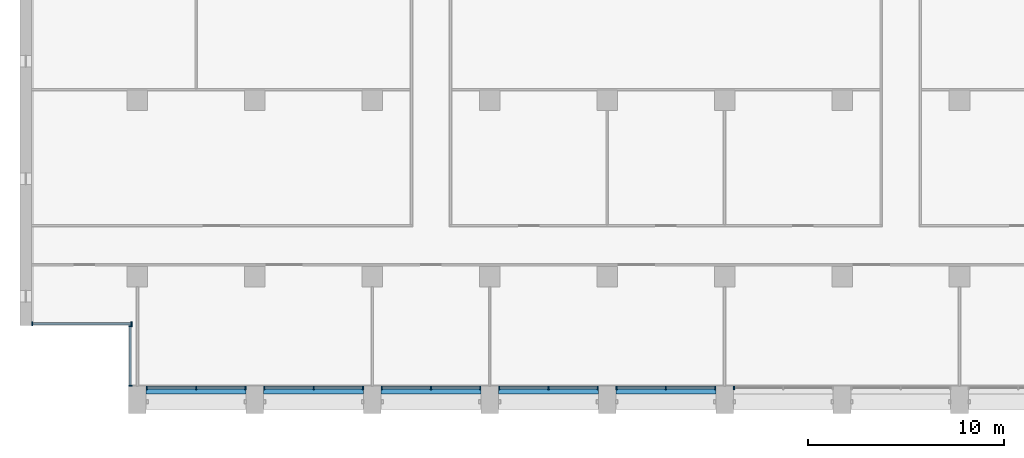
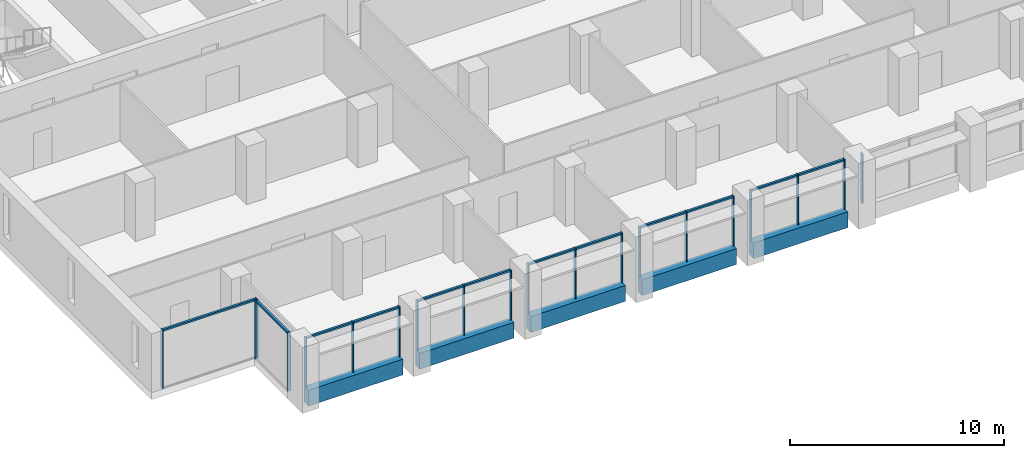
# One storey, part 2 of 17: 32 members, 5 beams, 8 elements without a shape of their own.
"""IFC4 building model written with IfcOpenShell, lengths in metres."""

from ifc_helpers import new_model, si_unit, direction, frame, origin, origin_2d, place, context, subcontext, project, spatial, rectangle, extrude, material, material_profile, profile_set, type_object, element, aggregate, save


model = new_model("IFC4")

# Units and contexts
model_context = context("Model", 3, precision=1e-05, world=origin(), true_north=direction((0.0, 1.0)))
body_context = subcontext(model_context, "Body", "Model", "MODEL_VIEW")
ifc_project = project(units=[si_unit("LENGTHUNIT", "METRE"), si_unit("AREAUNIT", "SQUARE_METRE"), si_unit("VOLUMEUNIT", "CUBIC_METRE"), si_unit("PLANEANGLEUNIT", "RADIAN"), si_unit("MASSUNIT", "GRAM", prefix="KILO")], contexts=[model_context])

# Site, building, storey
site_placement = place(None, origin())
site = spatial("IfcSite", under=ifc_project, at=site_placement, CompositionType="ELEMENT")
building_placement = place(site_placement, origin())
building = spatial("IfcBuilding", under=site, at=building_placement, Name="Calvaro Tower", CompositionType="ELEMENT")
storey_placement = place(building_placement, frame((0.0, 0.0, 200.5)))
storey = spatial("IfcBuildingStorey", under=building, at=storey_placement, Name="L50", CompositionType="ELEMENT", Elevation=200.5)

# Curtain wall, members
ifc_material_1 = material(Name="Anodised aluminium", Category="aluminium")
curtain_wall_type = type_object("IfcCurtainWallType", Name="Office curtain wall, upper zone", PredefinedType="NOTDEFINED", material=ifc_material_1)
curtain_wall_1_placement = place(storey_placement, origin())
curtain_wall_1 = element("IfcCurtainWall", 1, at=curtain_wall_1_placement, inside=storey, type_object=curtain_wall_type, Name="CW3 south curtain wall", PredefinedType="NOTDEFINED")
ifc_material_2 = material(Name="Anodised aluminium", Category="aluminium")
ifc_material_profile_1 = material_profile(ifc_material_2, rectangle(XDim=0.179931640625, YDim=0.06005859375, at=origin_2d()), Name="Mullion S3 60 x 180")
ifc_profile_set_1 = profile_set([ifc_material_profile_1], Name="Anodised aluminium")
member_type_1 = type_object("IfcMemberType", Name="Mullion S3 60 x 180", PredefinedType="MULLION", material=ifc_profile_set_1)
member_1_placement = place(storey_placement, frame((12.47998046875, 4.31005859375, 0.0), z_axis=(0.0, 0.0, 1.0), x_axis=(0.0, 1.0, 0.0)))
member_1 = element("IfcMember", 2, at=member_1_placement, type_object=member_type_1, Name="CW3 mullion 1", PredefinedType="MULLION", context=body_context, shape_type="SweptSolid", body=[
    extrude(rectangle(XDim=0.179931640625, YDim=0.06005859375, at=origin_2d()), origin(), (0.0, 0.0, 1.0), 2.85009765625),
])
member_2_placement = place(storey_placement, frame((15.0, 4.31005859375, 0.0), z_axis=(0.0, 0.0, 1.0), x_axis=(0.0, 1.0, 0.0)))
member_2 = element("IfcMember", 3, at=member_2_placement, type_object=member_type_1, Name="CW3 mullion 2", PredefinedType="MULLION", context=body_context, shape_type="SweptSolid", body=[
    extrude(rectangle(XDim=0.179931640625, YDim=0.06005859375, at=origin_2d()), origin(), (0.0, 0.0, 1.0), 2.85009765625),
])
member_3_placement = place(storey_placement, frame((17.52001953125, 4.31005859375, 0.0), z_axis=(0.0, 0.0, 1.0), x_axis=(0.0, 1.0, 0.0)))
member_3 = element("IfcMember", 4, at=member_3_placement, type_object=member_type_1, Name="CW3 mullion 3", PredefinedType="MULLION", context=body_context, shape_type="SweptSolid", body=[
    extrude(rectangle(XDim=0.179931640625, YDim=0.06005859375, at=origin_2d()), origin(), (0.0, 0.0, 1.0), 2.85009765625),
])

curtain_wall_2_placement = place(storey_placement, origin())
curtain_wall_2 = element("IfcCurtainWall", 5, at=curtain_wall_2_placement, inside=storey, type_object=curtain_wall_type, Name="CW3 south curtain wall", PredefinedType="NOTDEFINED")
member_4_placement = place(storey_placement, frame((18.47998046875, 4.31005859375, 0.0), z_axis=(0.0, 0.0, 1.0), x_axis=(0.0, 1.0, 0.0)))
member_4 = element("IfcMember", 6, at=member_4_placement, type_object=member_type_1, Name="CW3 mullion 1", PredefinedType="MULLION", context=body_context, shape_type="SweptSolid", body=[
    extrude(rectangle(XDim=0.179931640625, YDim=0.06005859375, at=origin_2d()), origin(), (0.0, 0.0, 1.0), 2.85009765625),
])
member_5_placement = place(storey_placement, frame((21.0, 4.31005859375, 0.0), z_axis=(0.0, 0.0, 1.0), x_axis=(0.0, 1.0, 0.0)))
member_5 = element("IfcMember", 7, at=member_5_placement, type_object=member_type_1, Name="CW3 mullion 2", PredefinedType="MULLION", context=body_context, shape_type="SweptSolid", body=[
    extrude(rectangle(XDim=0.179931640625, YDim=0.06005859375, at=origin_2d()), origin(), (0.0, 0.0, 1.0), 2.85009765625),
])
member_6_placement = place(storey_placement, frame((23.52001953125, 4.31005859375, 0.0), z_axis=(0.0, 0.0, 1.0), x_axis=(0.0, 1.0, 0.0)))
member_6 = element("IfcMember", 8, at=member_6_placement, type_object=member_type_1, Name="CW3 mullion 3", PredefinedType="MULLION", context=body_context, shape_type="SweptSolid", body=[
    extrude(rectangle(XDim=0.179931640625, YDim=0.06005859375, at=origin_2d()), origin(), (0.0, 0.0, 1.0), 2.85009765625),
])

curtain_wall_3_placement = place(storey_placement, origin())
curtain_wall_3 = element("IfcCurtainWall", 9, at=curtain_wall_3_placement, inside=storey, type_object=curtain_wall_type, Name="CW3 south curtain wall", PredefinedType="NOTDEFINED")
member_7_placement = place(storey_placement, frame((24.47998046875, 4.31005859375, 0.0), z_axis=(0.0, 0.0, 1.0), x_axis=(0.0, 1.0, 0.0)))
member_7 = element("IfcMember", 10, at=member_7_placement, type_object=member_type_1, Name="CW3 mullion 1", PredefinedType="MULLION", context=body_context, shape_type="SweptSolid", body=[
    extrude(rectangle(XDim=0.179931640625, YDim=0.06005859375, at=origin_2d()), origin(), (0.0, 0.0, 1.0), 2.85009765625),
])
member_8_placement = place(storey_placement, frame((27.0, 4.31005859375, 0.0), z_axis=(0.0, 0.0, 1.0), x_axis=(0.0, 1.0, 0.0)))
member_8 = element("IfcMember", 11, at=member_8_placement, type_object=member_type_1, Name="CW3 mullion 2", PredefinedType="MULLION", context=body_context, shape_type="SweptSolid", body=[
    extrude(rectangle(XDim=0.179931640625, YDim=0.06005859375, at=origin_2d()), origin(), (0.0, 0.0, 1.0), 2.85009765625),
])
member_9_placement = place(storey_placement, frame((29.52001953125, 4.31005859375, 0.0), z_axis=(0.0, 0.0, 1.0), x_axis=(0.0, 1.0, 0.0)))
member_9 = element("IfcMember", 12, at=member_9_placement, type_object=member_type_1, Name="CW3 mullion 3", PredefinedType="MULLION", context=body_context, shape_type="SweptSolid", body=[
    extrude(rectangle(XDim=0.179931640625, YDim=0.06005859375, at=origin_2d()), origin(), (0.0, 0.0, 1.0), 2.85009765625),
])

curtain_wall_4_placement = place(storey_placement, origin())
curtain_wall_4 = element("IfcCurtainWall", 13, at=curtain_wall_4_placement, inside=storey, type_object=curtain_wall_type, Name="CW3 south curtain wall", PredefinedType="NOTDEFINED")
member_10_placement = place(storey_placement, frame((30.47998046875, 4.31005859375, 0.0), z_axis=(0.0, 0.0, 1.0), x_axis=(0.0, 1.0, 0.0)))
member_10 = element("IfcMember", 14, at=member_10_placement, type_object=member_type_1, Name="CW3 mullion 1", PredefinedType="MULLION", context=body_context, shape_type="SweptSolid", body=[
    extrude(rectangle(XDim=0.179931640625, YDim=0.06005859375, at=origin_2d()), origin(), (0.0, 0.0, 1.0), 2.85009765625),
])
member_11_placement = place(storey_placement, frame((33.0, 4.31005859375, 0.0), z_axis=(0.0, 0.0, 1.0), x_axis=(0.0, 1.0, 0.0)))
member_11 = element("IfcMember", 15, at=member_11_placement, type_object=member_type_1, Name="CW3 mullion 2", PredefinedType="MULLION", context=body_context, shape_type="SweptSolid", body=[
    extrude(rectangle(XDim=0.179931640625, YDim=0.06005859375, at=origin_2d()), origin(), (0.0, 0.0, 1.0), 2.85009765625),
])
member_12_placement = place(storey_placement, frame((35.52001953125, 4.31005859375, 0.0), z_axis=(0.0, 0.0, 1.0), x_axis=(0.0, 1.0, 0.0)))
member_12 = element("IfcMember", 16, at=member_12_placement, type_object=member_type_1, Name="CW3 mullion 3", PredefinedType="MULLION", context=body_context, shape_type="SweptSolid", body=[
    extrude(rectangle(XDim=0.179931640625, YDim=0.06005859375, at=origin_2d()), origin(), (0.0, 0.0, 1.0), 2.85009765625),
])

curtain_wall_5_placement = place(storey_placement, origin())
curtain_wall_5 = element("IfcCurtainWall", 17, at=curtain_wall_5_placement, inside=storey, type_object=curtain_wall_type, Name="CW3 south curtain wall", PredefinedType="NOTDEFINED")
member_13_placement = place(storey_placement, frame((36.47998046875, 4.31005859375, 0.0), z_axis=(0.0, 0.0, 1.0), x_axis=(0.0, 1.0, 0.0)))
member_13 = element("IfcMember", 18, at=member_13_placement, type_object=member_type_1, Name="CW3 mullion 1", PredefinedType="MULLION", context=body_context, shape_type="SweptSolid", body=[
    extrude(rectangle(XDim=0.179931640625, YDim=0.06005859375, at=origin_2d()), origin(), (0.0, 0.0, 1.0), 2.85009765625),
])
member_14_placement = place(storey_placement, frame((39.0, 4.31005859375, 0.0), z_axis=(0.0, 0.0, 1.0), x_axis=(0.0, 1.0, 0.0)))
member_14 = element("IfcMember", 19, at=member_14_placement, type_object=member_type_1, Name="CW3 mullion 2", PredefinedType="MULLION", context=body_context, shape_type="SweptSolid", body=[
    extrude(rectangle(XDim=0.179931640625, YDim=0.06005859375, at=origin_2d()), origin(), (0.0, 0.0, 1.0), 2.85009765625),
])
member_15_placement = place(storey_placement, frame((41.52001953125, 4.31005859375, 0.0), z_axis=(0.0, 0.0, 1.0), x_axis=(0.0, 1.0, 0.0)))
member_15 = element("IfcMember", 20, at=member_15_placement, type_object=member_type_1, Name="CW3 mullion 3", PredefinedType="MULLION", context=body_context, shape_type="SweptSolid", body=[
    extrude(rectangle(XDim=0.179931640625, YDim=0.06005859375, at=origin_2d()), origin(), (0.0, 0.0, 1.0), 2.85009765625),
])

# Curtain wall, member
curtain_wall_6_placement = place(storey_placement, origin())
curtain_wall_6 = element("IfcCurtainWall", 21, at=curtain_wall_6_placement, inside=storey, type_object=curtain_wall_type, Name="CW3 south curtain wall", PredefinedType="NOTDEFINED")
member_16_placement = place(storey_placement, frame((42.47998046875, 4.31005859375, 0.0), z_axis=(0.0, 0.0, 1.0), x_axis=(0.0, 1.0, 0.0)))
member_16 = element("IfcMember", 22, at=member_16_placement, type_object=member_type_1, Name="CW3 mullion 1", PredefinedType="MULLION", context=body_context, shape_type="SweptSolid", body=[
    extrude(rectangle(XDim=0.179931640625, YDim=0.06005859375, at=origin_2d()), origin(), (0.0, 0.0, 1.0), 2.85009765625),
])
aggregate(curtain_wall_6, [member_16])

# Curtain wall, members
curtain_wall_7_placement = place(storey_placement, origin())
curtain_wall_7 = element("IfcCurtainWall", 23, at=curtain_wall_7_placement, inside=storey, type_object=curtain_wall_type, Name="CW3 corner curtain wall", PredefinedType="NOTDEFINED")
member_17_placement = place(storey_placement, frame((11.639892578125, 4.429931640625, 0.0), z_axis=(0.0, 0.0, 1.0), x_axis=(-1.0, 0.0, 0.0)))
member_17 = element("IfcMember", 24, at=member_17_placement, type_object=member_type_1, Name="CW3 mullion 1", PredefinedType="MULLION", context=body_context, shape_type="SweptSolid", body=[
    extrude(rectangle(XDim=0.179931640625, YDim=0.06005859375, at=origin_2d()), origin(), (0.0, 0.0, 1.0), 3.35009765625),
])
member_18_placement = place(storey_placement, frame((11.639892578125, 7.469970703125, 0.0), z_axis=(0.0, 0.0, 1.0), x_axis=(-1.0, 0.0, 0.0)))
member_18 = element("IfcMember", 25, at=member_18_placement, type_object=member_type_1, Name="CW3 mullion 2", PredefinedType="MULLION", context=body_context, shape_type="SweptSolid", body=[
    extrude(rectangle(XDim=0.179931640625, YDim=0.06005859375, at=origin_2d()), origin(), (0.0, 0.0, 1.0), 3.35009765625),
])

curtain_wall_8_placement = place(storey_placement, origin())
curtain_wall_8 = element("IfcCurtainWall", 26, at=curtain_wall_8_placement, inside=storey, type_object=curtain_wall_type, Name="CW3 corner curtain wall", PredefinedType="NOTDEFINED")
member_19_placement = place(storey_placement, frame((6.6298828125, 7.590087890625, 0.0), z_axis=(0.0, 0.0, 1.0), x_axis=(0.0, 1.0, 0.0)))
member_19 = element("IfcMember", 27, at=member_19_placement, type_object=member_type_1, Name="CW3 mullion 1", PredefinedType="MULLION", context=body_context, shape_type="SweptSolid", body=[
    extrude(rectangle(XDim=0.179931640625, YDim=0.06005859375, at=origin_2d()), origin(), (0.0, 0.0, 1.0), 3.35009765625),
])
member_20_placement = place(storey_placement, frame((11.699951171875, 7.590087890625, 0.0), z_axis=(0.0, 0.0, 1.0), x_axis=(0.0, 1.0, 0.0)))
member_20 = element("IfcMember", 28, at=member_20_placement, type_object=member_type_1, Name="CW3 mullion 2", PredefinedType="MULLION", context=body_context, shape_type="SweptSolid", body=[
    extrude(rectangle(XDim=0.179931640625, YDim=0.06005859375, at=origin_2d()), origin(), (0.0, 0.0, 1.0), 3.35009765625),
])

# Beams
ifc_material_3 = material(Name="Concrete C50/60 precast", Category="concrete")
ifc_material_profile_2 = material_profile(ifc_material_3, rectangle(XDim=0.39990234375, YDim=0.89990234375, at=origin_2d()), Name="RC 400x900")
ifc_profile_set_2 = profile_set([ifc_material_profile_2], Name="Concrete C50/60 precast")
beam_type = type_object("IfcBeamType", Name="Spandrel beam 400x900 C50/60", PredefinedType="SPANDREL", material=ifc_profile_set_2)
for number, where, z_axis, x_axis, name in (
    (29, (12.449951171875, 4.199951171875, -0.449951171875), (1.0, 0.0, 0.0), (0.0, 1.0, 0.0), "Spandrel beam"),
    (30, (18.449951171875, 4.199951171875, -0.449951171875), (1.0, 0.0, 0.0), (0.0, 1.0, 0.0), "Spandrel beam"),
    (31, (24.449951171875, 4.199951171875, -0.449951171875), (1.0, 0.0, 0.0), (0.0, 1.0, 0.0), "Spandrel beam"),
    (32, (30.449951171875, 4.199951171875, -0.449951171875), (1.0, 0.0, 0.0), (0.0, 1.0, 0.0), "Spandrel beam"),
    (33, (36.449951171875, 4.199951171875, -0.449951171875), (1.0, 0.0, 0.0), (0.0, 1.0, 0.0), "Spandrel beam"),
):
    element("IfcBeam", number, at=place(storey_placement, frame(where, z_axis=z_axis, x_axis=x_axis)), inside=storey, type_object=beam_type, Name=name, PredefinedType="SPANDREL", context=body_context, shape_type="SweptSolid", body=[
        extrude(rectangle(XDim=0.39990234375, YDim=0.89990234375, at=origin_2d()), origin(), (0.0, 0.0, 1.0), 5.10009765625),
    ])

# Member
ifc_material_4 = material(Name="Anodised aluminium", Category="aluminium")
ifc_material_profile_3 = material_profile(ifc_material_4, rectangle(XDim=0.1201171875, YDim=0.10009765625, at=origin_2d()), Name="Transom S3 100 x 120")
ifc_profile_set_3 = profile_set([ifc_material_profile_3], Name="Anodised aluminium")
member_type_2 = type_object("IfcMemberType", Name="Transom S3 100 x 120", PredefinedType="USERDEFINED", material=ifc_profile_set_3)
member_21_placement = place(storey_placement, frame((12.510009765625, 4.31005859375, 2.800048828125), z_axis=(1.0, 0.0, 0.0), x_axis=(0.0, 1.0, 0.0)))
member_21 = element("IfcMember", 34, at=member_21_placement, type_object=member_type_2, Name="CW3 transom 1.1", ObjectType="TRANSOM", PredefinedType="USERDEFINED", context=body_context, shape_type="SweptSolid", body=[
    extrude(rectangle(XDim=0.1201171875, YDim=0.10009765625, at=origin_2d()), origin(), (0.0, 0.0, 1.0), 2.4599609375),
])

member_22_placement = place(storey_placement, frame((15.030029296875, 4.31005859375, 2.800048828125), z_axis=(1.0, 0.0, 0.0), x_axis=(0.0, 1.0, 0.0)))
member_22 = element("IfcMember", 35, at=member_22_placement, type_object=member_type_2, Name="CW3 transom 2.1", ObjectType="TRANSOM", PredefinedType="USERDEFINED", context=body_context, shape_type="SweptSolid", body=[
    extrude(rectangle(XDim=0.1201171875, YDim=0.10009765625, at=origin_2d()), origin(), (0.0, 0.0, 1.0), 2.4599609375),
])

aggregate(curtain_wall_1, [member_1, member_2, member_3, member_21, member_22])

member_23_placement = place(storey_placement, frame((18.510009765625, 4.31005859375, 2.800048828125), z_axis=(1.0, 0.0, 0.0), x_axis=(0.0, 1.0, 0.0)))
member_23 = element("IfcMember", 36, at=member_23_placement, type_object=member_type_2, Name="CW3 transom 1.1", ObjectType="TRANSOM", PredefinedType="USERDEFINED", context=body_context, shape_type="SweptSolid", body=[
    extrude(rectangle(XDim=0.1201171875, YDim=0.10009765625, at=origin_2d()), origin(), (0.0, 0.0, 1.0), 2.4599609375),
])

member_24_placement = place(storey_placement, frame((21.030029296875, 4.31005859375, 2.800048828125), z_axis=(1.0, 0.0, 0.0), x_axis=(0.0, 1.0, 0.0)))
member_24 = element("IfcMember", 37, at=member_24_placement, type_object=member_type_2, Name="CW3 transom 2.1", ObjectType="TRANSOM", PredefinedType="USERDEFINED", context=body_context, shape_type="SweptSolid", body=[
    extrude(rectangle(XDim=0.1201171875, YDim=0.10009765625, at=origin_2d()), origin(), (0.0, 0.0, 1.0), 2.4599609375),
])

aggregate(curtain_wall_2, [member_4, member_5, member_6, member_23, member_24])

member_25_placement = place(storey_placement, frame((24.510009765625, 4.31005859375, 2.800048828125), z_axis=(1.0, 0.0, 0.0), x_axis=(0.0, 1.0, 0.0)))
member_25 = element("IfcMember", 38, at=member_25_placement, type_object=member_type_2, Name="CW3 transom 1.1", ObjectType="TRANSOM", PredefinedType="USERDEFINED", context=body_context, shape_type="SweptSolid", body=[
    extrude(rectangle(XDim=0.1201171875, YDim=0.10009765625, at=origin_2d()), origin(), (0.0, 0.0, 1.0), 2.4599609375),
])

member_26_placement = place(storey_placement, frame((27.030029296875, 4.31005859375, 2.800048828125), z_axis=(1.0, 0.0, 0.0), x_axis=(0.0, 1.0, 0.0)))
member_26 = element("IfcMember", 39, at=member_26_placement, type_object=member_type_2, Name="CW3 transom 2.1", ObjectType="TRANSOM", PredefinedType="USERDEFINED", context=body_context, shape_type="SweptSolid", body=[
    extrude(rectangle(XDim=0.1201171875, YDim=0.10009765625, at=origin_2d()), origin(), (0.0, 0.0, 1.0), 2.4599609375),
])

aggregate(curtain_wall_3, [member_7, member_8, member_9, member_25, member_26])

member_27_placement = place(storey_placement, frame((30.510009765625, 4.31005859375, 2.800048828125), z_axis=(1.0, 0.0, 0.0), x_axis=(0.0, 1.0, 0.0)))
member_27 = element("IfcMember", 40, at=member_27_placement, type_object=member_type_2, Name="CW3 transom 1.1", ObjectType="TRANSOM", PredefinedType="USERDEFINED", context=body_context, shape_type="SweptSolid", body=[
    extrude(rectangle(XDim=0.1201171875, YDim=0.10009765625, at=origin_2d()), origin(), (0.0, 0.0, 1.0), 2.4599609375),
])

member_28_placement = place(storey_placement, frame((33.030029296875, 4.31005859375, 2.800048828125), z_axis=(1.0, 0.0, 0.0), x_axis=(0.0, 1.0, 0.0)))
member_28 = element("IfcMember", 41, at=member_28_placement, type_object=member_type_2, Name="CW3 transom 2.1", ObjectType="TRANSOM", PredefinedType="USERDEFINED", context=body_context, shape_type="SweptSolid", body=[
    extrude(rectangle(XDim=0.1201171875, YDim=0.10009765625, at=origin_2d()), origin(), (0.0, 0.0, 1.0), 2.4599609375),
])

aggregate(curtain_wall_4, [member_10, member_11, member_12, member_27, member_28])

member_29_placement = place(storey_placement, frame((36.510009765625, 4.31005859375, 2.800048828125), z_axis=(1.0, 0.0, 0.0), x_axis=(0.0, 1.0, 0.0)))
member_29 = element("IfcMember", 42, at=member_29_placement, type_object=member_type_2, Name="CW3 transom 1.1", ObjectType="TRANSOM", PredefinedType="USERDEFINED", context=body_context, shape_type="SweptSolid", body=[
    extrude(rectangle(XDim=0.1201171875, YDim=0.10009765625, at=origin_2d()), origin(), (0.0, 0.0, 1.0), 2.4599609375),
])

member_30_placement = place(storey_placement, frame((39.030029296875, 4.31005859375, 2.800048828125), z_axis=(1.0, 0.0, 0.0), x_axis=(0.0, 1.0, 0.0)))
member_30 = element("IfcMember", 43, at=member_30_placement, type_object=member_type_2, Name="CW3 transom 2.1", ObjectType="TRANSOM", PredefinedType="USERDEFINED", context=body_context, shape_type="SweptSolid", body=[
    extrude(rectangle(XDim=0.1201171875, YDim=0.10009765625, at=origin_2d()), origin(), (0.0, 0.0, 1.0), 2.4599609375),
])

aggregate(curtain_wall_5, [member_13, member_14, member_15, member_29, member_30])

member_31_placement = place(storey_placement, frame((11.639892578125, 4.4599609375, 3.300048828125), z_axis=(0.0, 1.0, 0.0), x_axis=(-1.0, 0.0, 0.0)))
member_31 = element("IfcMember", 44, at=member_31_placement, type_object=member_type_2, Name="CW3 transom 1.1", ObjectType="TRANSOM", PredefinedType="USERDEFINED", context=body_context, shape_type="SweptSolid", body=[
    extrude(rectangle(XDim=0.1201171875, YDim=0.10009765625, at=origin_2d()), origin(), (0.0, 0.0, 1.0), 2.97998046875),
])

aggregate(curtain_wall_7, [member_17, member_18, member_31])

member_32_placement = place(storey_placement, frame((6.659912109375, 7.590087890625, 3.300048828125), z_axis=(1.0, 0.0, 0.0), x_axis=(0.0, 1.0, 0.0)))
member_32 = element("IfcMember", 45, at=member_32_placement, type_object=member_type_2, Name="CW3 transom 1.1", ObjectType="TRANSOM", PredefinedType="USERDEFINED", context=body_context, shape_type="SweptSolid", body=[
    extrude(rectangle(XDim=0.1201171875, YDim=0.10009765625, at=origin_2d()), origin(), (0.0, 0.0, 1.0), 5.010009765625),
])

aggregate(curtain_wall_8, [member_19, member_20, member_32])

save(model, "model.ifc")
